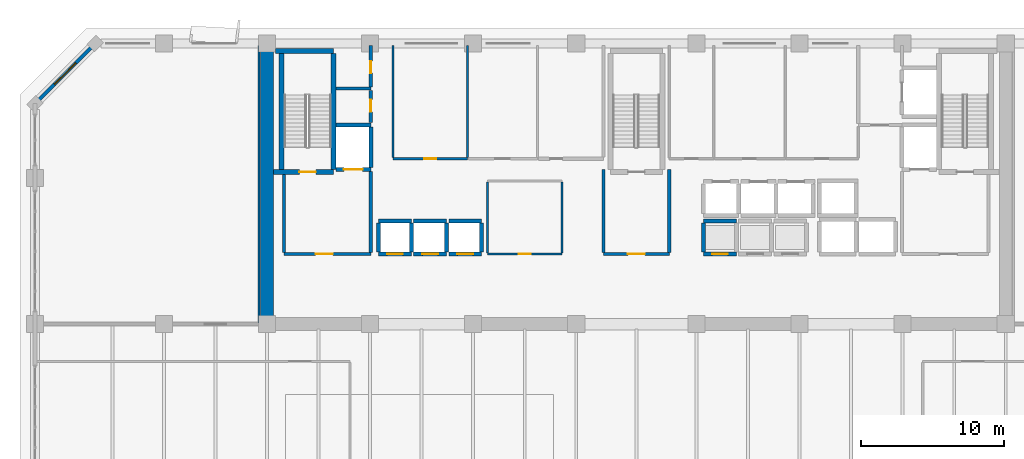
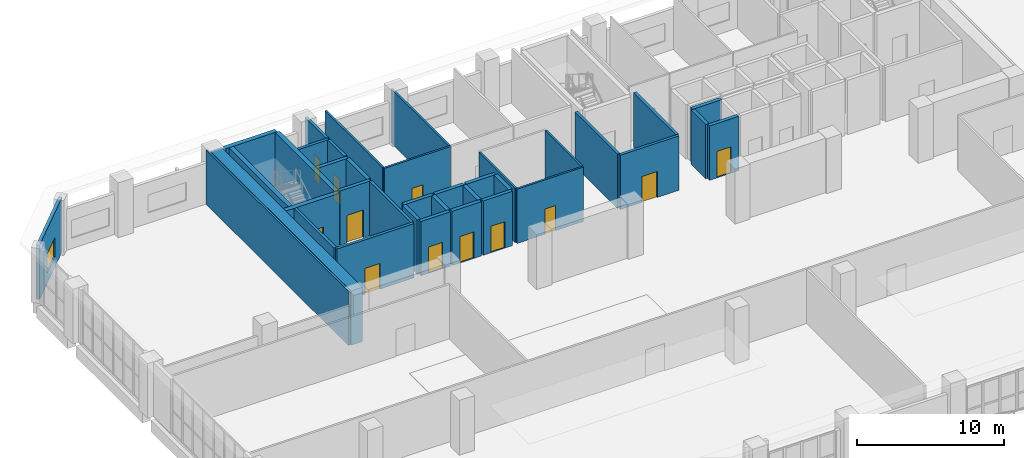
# One storey, part 29 of 37: 38 walls, 12 doors, 1 window, 13 openings.
"""IFC4 building model written with IfcOpenShell, lengths in metres."""

from ifc_helpers import new_model, si_unit, direction, frame, frame_2d, origin, place, context, subcontext, project, spatial, rectangle, extrude, material, layer, layer_set, type_object, element, fill, save


model = new_model("IFC4")

# Units and contexts
model_context = context("Model", 3, precision=1e-05, world=origin(), true_north=direction((0.0, 1.0)))
body_context = subcontext(model_context, "Body", "Model", "MODEL_VIEW")
ifc_project = project(units=[si_unit("LENGTHUNIT", "METRE"), si_unit("AREAUNIT", "SQUARE_METRE"), si_unit("VOLUMEUNIT", "CUBIC_METRE"), si_unit("PLANEANGLEUNIT", "RADIAN"), si_unit("MASSUNIT", "GRAM", prefix="KILO")], contexts=[model_context])

# Site, building, storey
site_placement = place(None, origin())
site = spatial("IfcSite", under=ifc_project, at=site_placement, CompositionType="ELEMENT")
building_placement = place(site_placement, origin())
building = spatial("IfcBuilding", under=site, at=building_placement, Name="Kaelvorn Grand Hotel", CompositionType="ELEMENT")
storey_placement = place(building_placement, frame((0.0, 0.0, 130.550048828125)))
storey = spatial("IfcBuildingStorey", under=building, at=storey_placement, Name="L31", CompositionType="ELEMENT", Elevation=130.550048828125)

# Wall
ifc_material_1 = material(Name="Concrete C60/75", Category="concrete")
ifc_layer_1 = layer(ifc_material_1, 0.89990234375)
ifc_layer_set_1 = layer_set([ifc_layer_1], Name="Concrete C60/75")
wall_type_1 = type_object("IfcWallType", Name="WL-CORE-900-C60", PredefinedType="SHEAR", material=ifc_layer_set_1)
wall_1_placement = place(storey_placement, frame((16.199951171875, 29.39990234375, 0.0), z_axis=(0.0, 0.0, 1.0), x_axis=(0.0, 1.0, 0.0)))
element("IfcWall", 1, at=wall_1_placement, inside=storey, type_object=wall_type_1, Name="L31 Rear-Core West Shear Wall", PredefinedType="SHEAR", context=body_context, shape_type="SweptSolid", body=[
    extrude(rectangle(XDim=19.2001953125, YDim=0.89990234375, at=frame_2d((9.60009765625, 0.0))), origin(), (0.0, 0.0, 1.0), 4.52001953125),
])

# Wall, opening, window
ifc_material_2 = material(Name="Concrete C40/50", Category="concrete")
ifc_layer_2 = layer(ifc_material_2, 0.260009765625)
ifc_layer_set_2 = layer_set([ifc_layer_2], Name="Concrete C40/50")
wall_type_2 = type_object("IfcWallType", Name="WL-EXT-260-C40", PredefinedType="SOLIDWALL", material=ifc_layer_set_2)
wall_2_placement = place(storey_placement, frame((4.199951171875, 49.0, 0.0), z_axis=(0.0, 0.0, 1.0), x_axis=(-0.707106781187, -0.707106781187, 0.0)))
wall_2 = element("IfcWall", 2, at=wall_2_placement, inside=storey, type_object=wall_type_2, Name="L31 Exterior Architectural Concrete Wall 06", PredefinedType="SOLIDWALL", context=body_context, shape_type="SweptSolid", body=[
    extrude(rectangle(XDim=5.939697265625, YDim=0.260009765625, at=frame_2d((2.9697265625, 0.0))), origin(), (0.0, 0.0, 1.0), 4.52001953125),
])
opening_1_placement = place(wall_2_placement, frame((1.919921875, 0.0, 0.85009765625)))
opening_1 = element("IfcOpeningElement", 3, at=opening_1_placement, cuts=wall_2, Name="Opening W7", PredefinedType="OPENING", context=body_context, shape_type="SweptSolid", body=[
    extrude(rectangle(XDim=2.10009765625, YDim=1.60009765625, at=frame_2d((1.050048828125, 0.800048828125))), frame((0.0, 0.14013671875, 0.0), z_axis=(0.0, -1.0, 0.0), x_axis=(1.0, 0.0, 0.0)), (0.0, 0.0, 1.0), 0.280029296875),
])
ifc_material_3 = material(Name="Laminated Low-E Glass", Category="glass")
window_type = type_object("IfcWindowType", Name="WIN-CHM-2100x1600", PartitioningType="SINGLE_PANEL", PredefinedType="WINDOW", material=ifc_material_3)
window_placement = place(opening_1_placement, origin())
window = element("IfcWindow", 4, at=window_placement, inside=storey, type_object=window_type, Name="L31 Chamfered 45-Degree Corner Window NW", OverallHeight=1.60009765625, OverallWidth=2.10009765625, PartitioningType="SINGLE_PANEL", PredefinedType="WINDOW", context=body_context, shape_type="SweptSolid", body=[
    extrude(rectangle(XDim=2.10009765625, YDim=1.60009765625, at=frame_2d((1.050048828125, 0.800048828125))), frame((0.0, 0.030029296875, 0.0), z_axis=(0.0, -1.0, 0.0), x_axis=(1.0, 0.0, 0.0)), (0.0, 0.0, 1.0), 0.06005859375),
])
fill(opening_1, window)

# Wall, opening, door
ifc_material_4 = material(Name="Acoustic Gypsum & Stud Partition")
ifc_layer_3 = layer(ifc_material_4, 0.14990234375)
ifc_layer_set_3 = layer_set([ifc_layer_3], Name="Acoustic Gypsum & Stud Partition")
wall_type_3 = type_object("IfcWallType", Name="WL-PART-150-EI60", PredefinedType="PARTITIONING", material=ifc_layer_set_3)
wall_3_placement = place(storey_placement, frame((31.60009765625, 34.300048828125, 0.0), z_axis=(0.0, 0.0, 1.0), x_axis=(1.0, 0.0, 0.0)))
wall_3 = element("IfcWall", 5, at=wall_3_placement, inside=storey, type_object=wall_type_3, Name="L31 Core Telecoms & BMS Server Room S Partition", PredefinedType="PARTITIONING", context=body_context, shape_type="SweptSolid", body=[
    extrude(rectangle(XDim=5.199951171875, YDim=0.14990234375, at=frame_2d((2.60009765625, 0.0))), origin(), (0.0, 0.0, 1.0), 4.52001953125),
])
opening_2_placement = place(wall_3_placement, frame((2.175048828125, 0.0, 0.0)))
opening_2 = element("IfcOpeningElement", 6, at=opening_2_placement, cuts=wall_3, Name="Opening DI7", PredefinedType="OPENING", context=body_context, shape_type="SweptSolid", body=[
    extrude(rectangle(XDim=0.85009765625, YDim=2.10009765625, at=frame_2d((0.425048828125, 1.050048828125))), frame((0.0, 0.0849609375, 0.0), z_axis=(0.0, -1.0, 0.0), x_axis=(1.0, 0.0, 0.0)), (0.0, 0.0, 1.0), 0.169921875),
])
ifc_material_5 = material(Name="Powder-Coated Steel Leaf", Category="steel")
door_type_1 = type_object("IfcDoorType", Name="DR-INT-RISER-850x2100", OperationType="NOTDEFINED", PredefinedType="DOOR", material=ifc_material_5)
door_1_placement = place(opening_2_placement, origin())
door_1 = element("IfcDoor", 7, at=door_1_placement, inside=storey, type_object=door_type_1, Name="L31 Core Telecoms & BMS Server Room Door", OperationType="SINGLE_SWING_RIGHT", OverallHeight=2.10009765625, OverallWidth=0.85009765625, PredefinedType="DOOR", context=body_context, shape_type="SweptSolid", body=[
    extrude(rectangle(XDim=0.85009765625, YDim=2.10009765625, at=frame_2d((0.425048828125, 1.050048828125))), frame((0.0, 0.02490234375, 0.0), z_axis=(0.0, -1.0, 0.0), x_axis=(1.0, 0.0, 0.0)), (0.0, 0.0, 1.0), 0.050048828125),
])
fill(opening_2, door_1)

# Walls
for number, where, z_axis, x_axis, name in (
    (8, (31.60009765625, 34.3798828125, 0.0), (0.0, 0.0, 1.0), (0.0, 1.0, 0.0), "L31 Core Telecoms & BMS Server Room W Partition"),
    (9, (36.800048828125, 34.3798828125, 0.0), (0.0, 0.0, 1.0), (0.0, 1.0, 0.0), "L31 Core Telecoms & BMS Server Room E Partition"),
):
    element("IfcWall", number, at=place(storey_placement, frame(where, z_axis=z_axis, x_axis=x_axis)), inside=storey, type_object=wall_type_3, Name=name, PredefinedType="PARTITIONING", context=body_context, shape_type="SweptSolid", body=[
        extrude(rectangle(XDim=4.940185546875, YDim=0.14990234375, at=frame_2d((2.47021484375, 0.0))), origin(), (0.0, 0.0, 1.0), 4.52001953125),
    ])

# Wall, opening, door
wall_4_placement = place(storey_placement, frame((25.0, 40.949951171875, 0.0), z_axis=(0.0, 0.0, 1.0), x_axis=(1.0, 0.0, 0.0)))
wall_4 = element("IfcWall", 10, at=wall_4_placement, inside=storey, type_object=wall_type_3, Name="L31 Central Janitor & Linen Store S Partition", PredefinedType="PARTITIONING", context=body_context, shape_type="SweptSolid", body=[
    extrude(rectangle(XDim=5.199951171875, YDim=0.14990234375, at=frame_2d((2.60009765625, 0.0))), origin(), (0.0, 0.0, 1.0), 4.52001953125),
])
opening_3_placement = place(wall_4_placement, frame((2.175048828125, 0.0, 0.0)))
opening_3 = element("IfcOpeningElement", 11, at=opening_3_placement, cuts=wall_4, Name="Opening DI7", PredefinedType="OPENING", context=body_context, shape_type="SweptSolid", body=[
    extrude(rectangle(XDim=0.85009765625, YDim=2.10009765625, at=frame_2d((0.425048828125, 1.050048828125))), frame((0.0, 0.0849609375, 0.0), z_axis=(0.0, -1.0, 0.0), x_axis=(1.0, 0.0, 0.0)), (0.0, 0.0, 1.0), 0.169921875),
])
door_2_placement = place(opening_3_placement, origin())
door_2 = element("IfcDoor", 12, at=door_2_placement, inside=storey, type_object=door_type_1, Name="L31 Central Janitor & Linen Store Door", OperationType="SINGLE_SWING_LEFT", OverallHeight=2.10009765625, OverallWidth=0.85009765625, PredefinedType="DOOR", context=body_context, shape_type="SweptSolid", body=[
    extrude(rectangle(XDim=0.85009765625, YDim=2.10009765625, at=frame_2d((0.425048828125, 1.050048828125))), frame((0.0, 0.02490234375, 0.0), z_axis=(0.0, -1.0, 0.0), x_axis=(1.0, 0.0, 0.0)), (0.0, 0.0, 1.0), 0.050048828125),
])
fill(opening_3, door_2)

# Walls
for number, where, z_axis, x_axis, name in (
    (13, (25.0, 41.030029296875, 0.0), (0.0, 0.0, 1.0), (0.0, 1.0, 0.0), "L31 Central Janitor & Linen Store W Partition"),
    (14, (30.199951171875, 41.030029296875, 0.0), (0.0, 0.0, 1.0), (0.0, 1.0, 0.0), "L31 Central Janitor & Linen Store E Partition"),
):
    element("IfcWall", number, at=place(storey_placement, frame(where, z_axis=z_axis, x_axis=x_axis)), inside=storey, type_object=wall_type_3, Name=name, PredefinedType="PARTITIONING", context=body_context, shape_type="SweptSolid", body=[
        extrude(rectangle(XDim=7.820068359375, YDim=0.14990234375, at=frame_2d((3.91015625, 0.0))), origin(), (0.0, 0.0, 1.0), 4.52001953125),
    ])
wall_5_placement = place(storey_placement, frame((15.64990234375, 29.47998046875, 0.0), z_axis=(0.0, 0.0, 1.0), x_axis=(0.0, 1.0, 0.0)))
element("IfcWall", 15, at=wall_5_placement, inside=storey, type_object=wall_type_3, Name="L31 Sky Sommelier Cellar & Tasting Room E Partition", PredefinedType="PARTITIONING", context=body_context, shape_type="SweptSolid", body=[
    extrude(rectangle(XDim=19.3701171875, YDim=0.14990234375, at=frame_2d((9.68505859375, 0.0))), origin(), (0.0, 0.0, 1.0), 4.52001953125),
])

# Wall, opening, door
ifc_layer_4 = layer(ifc_material_2, 0.219970703125)
ifc_layer_set_4 = layer_set([ifc_layer_4], Name="Concrete C40/50")
wall_type_4 = type_object("IfcWallType", Name="WL-PART-220-EI120", PredefinedType="PARTITIONING", material=ifc_layer_set_4)
wall_6_placement = place(storey_placement, frame((17.39990234375, 34.300048828125, 0.0), z_axis=(0.0, 0.0, 1.0), x_axis=(1.0, 0.0, 0.0)))
wall_6 = element("IfcWall", 16, at=wall_6_placement, inside=storey, type_object=wall_type_4, Name="L31 Firefighting Lift Lobby 1 S Partition", PredefinedType="PARTITIONING", context=body_context, shape_type="SweptSolid", body=[
    extrude(rectangle(XDim=6.050048828125, YDim=0.219970703125, at=frame_2d((3.02490234375, 0.0))), origin(), (0.0, 0.0, 1.0), 4.52001953125),
])
opening_4_placement = place(wall_6_placement, frame((2.199951171875, 0.0, 0.0)))
opening_4 = element("IfcOpeningElement", 17, at=opening_4_placement, cuts=wall_6, Name="Opening DI2", PredefinedType="OPENING", context=body_context, shape_type="SweptSolid", body=[
    extrude(rectangle(XDim=1.199951171875, YDim=2.14990234375, at=frame_2d((0.60009765625, 1.074951171875))), frame((0.0, 0.1201171875, 0.0), z_axis=(0.0, -1.0, 0.0), x_axis=(1.0, 0.0, 0.0)), (0.0, 0.0, 1.0), 0.239990234375),
])
ifc_material_6 = material(Name="Timber Veneer Fire Leaf", Category="wood")
door_type_2 = type_object("IfcDoorType", Name="DR-INT-FFLOB-1200x2150", OperationType="NOTDEFINED", PredefinedType="DOOR", material=ifc_material_6)
door_3_placement = place(opening_4_placement, origin())
door_3 = element("IfcDoor", 18, at=door_3_placement, inside=storey, type_object=door_type_2, Name="L31 Firefighting Lift Lobby 1 Door", OperationType="SINGLE_SWING_RIGHT", OverallHeight=2.14990234375, OverallWidth=1.199951171875, PredefinedType="DOOR", context=body_context, shape_type="SweptSolid", body=[
    extrude(rectangle(XDim=1.199951171875, YDim=2.14990234375, at=frame_2d((0.60009765625, 1.074951171875))), frame((0.0, 0.02490234375, 0.0), z_axis=(0.0, -1.0, 0.0), x_axis=(1.0, 0.0, 0.0)), (0.0, 0.0, 1.0), 0.050048828125),
])
fill(opening_4, door_3)

# Walls
wall_7_placement = place(storey_placement, frame((17.39990234375, 34.4150390625, 0.0), z_axis=(0.0, 0.0, 1.0), x_axis=(0.0, 1.0, 0.0)))
element("IfcWall", 19, at=wall_7_placement, inside=storey, type_object=wall_type_4, Name="L31 Firefighting Lift Lobby 1 W Partition", PredefinedType="PARTITIONING", context=body_context, shape_type="SweptSolid", body=[
    extrude(rectangle(XDim=5.429931640625, YDim=0.219970703125, at=frame_2d((2.71484375, 0.0))), origin(), (0.0, 0.0, 1.0), 4.52001953125),
])
wall_8_placement = place(storey_placement, frame((23.449951171875, 34.4150390625, 0.0), z_axis=(0.0, 0.0, 1.0), x_axis=(0.0, 1.0, 0.0)))
element("IfcWall", 20, at=wall_8_placement, inside=storey, type_object=wall_type_4, Name="L31 Firefighting Lift Lobby 1 E Partition", PredefinedType="PARTITIONING", context=body_context, shape_type="SweptSolid", body=[
    extrude(rectangle(XDim=5.639892578125, YDim=0.219970703125, at=frame_2d((2.81982421875, 0.0))), origin(), (0.0, 0.0, 1.0), 4.52001953125),
])

# Wall, opening, door
wall_9_placement = place(storey_placement, frame((39.699951171875, 34.300048828125, 0.0), z_axis=(0.0, 0.0, 1.0), x_axis=(1.0, 0.0, 0.0)))
wall_9 = element("IfcWall", 21, at=wall_9_placement, inside=storey, type_object=wall_type_4, Name="L31 Central Stair Escape Vestibule S Partition", PredefinedType="PARTITIONING", context=body_context, shape_type="SweptSolid", body=[
    extrude(rectangle(XDim=4.60009765625, YDim=0.219970703125, at=frame_2d((2.300048828125, 0.0))), origin(), (0.0, 0.0, 1.0), 4.52001953125),
])
opening_5_placement = place(wall_9_placement, frame((1.699951171875, 0.0, 0.0)))
opening_5 = element("IfcOpeningElement", 22, at=opening_5_placement, cuts=wall_9, Name="Opening DI2", PredefinedType="OPENING", context=body_context, shape_type="SweptSolid", body=[
    extrude(rectangle(XDim=1.199951171875, YDim=2.14990234375, at=frame_2d((0.60009765625, 1.074951171875))), frame((0.0, 0.1201171875, 0.0), z_axis=(0.0, -1.0, 0.0), x_axis=(1.0, 0.0, 0.0)), (0.0, 0.0, 1.0), 0.239990234375),
])
door_4_placement = place(opening_5_placement, origin())
door_4 = element("IfcDoor", 23, at=door_4_placement, inside=storey, type_object=door_type_2, Name="L31 Central Stair Escape Vestibule Door", OperationType="SINGLE_SWING_RIGHT", OverallHeight=2.14990234375, OverallWidth=1.199951171875, PredefinedType="DOOR", context=body_context, shape_type="SweptSolid", body=[
    extrude(rectangle(XDim=1.199951171875, YDim=2.14990234375, at=frame_2d((0.60009765625, 1.074951171875))), frame((0.0, 0.02490234375, 0.0), z_axis=(0.0, -1.0, 0.0), x_axis=(1.0, 0.0, 0.0)), (0.0, 0.0, 1.0), 0.050048828125),
])
fill(opening_5, door_4)

# Walls
for number, where, z_axis, x_axis, name in (
    (24, (39.699951171875, 34.4150390625, 0.0), (0.0, 0.0, 1.0), (0.0, 1.0, 0.0), "L31 Central Stair Escape Vestibule W Partition"),
    (25, (44.300048828125, 34.4150390625, 0.0), (0.0, 0.0, 1.0), (0.0, 1.0, 0.0), "L31 Central Stair Escape Vestibule E Partition"),
):
    element("IfcWall", number, at=place(storey_placement, frame(where, z_axis=z_axis, x_axis=x_axis)), inside=storey, type_object=wall_type_4, Name=name, PredefinedType="PARTITIONING", context=body_context, shape_type="SweptSolid", body=[
        extrude(rectangle(XDim=5.784912109375, YDim=0.219970703125, at=frame_2d((2.892578125, 0.0))), origin(), (0.0, 0.0, 1.0), 4.52001953125),
    ])
wall_10_placement = place(storey_placement, frame((21.034912109375, 45.85009765625, 0.0), z_axis=(0.0, 0.0, 1.0), x_axis=(1.0, 0.0, 0.0)))
element("IfcWall", 26, at=wall_10_placement, inside=storey, type_object=wall_type_4, Name="L31 Wet Fire & Plumbing Riser Shaft N Partition", PredefinedType="PARTITIONING", context=body_context, shape_type="SweptSolid", body=[
    extrude(rectangle(XDim=2.4150390625, YDim=0.219970703125, at=frame_2d((1.20751953125, 0.0))), origin(), (0.0, 0.0, 1.0), 4.52001953125),
])

# Wall, opening, door
wall_11_placement = place(storey_placement, frame((23.449951171875, 43.5, 0.0), z_axis=(0.0, 0.0, 1.0), x_axis=(0.0, 1.0, 0.0)))
wall_11 = element("IfcWall", 27, at=wall_11_placement, inside=storey, type_object=wall_type_4, Name="L31 Wet Fire & Plumbing Riser Shaft E Partition", PredefinedType="PARTITIONING", context=body_context, shape_type="SweptSolid", body=[
    extrude(rectangle(XDim=2.235107421875, YDim=0.219970703125, at=frame_2d((1.11767578125, 0.0))), origin(), (0.0, 0.0, 1.0), 4.52001953125),
])
opening_6_placement = place(wall_11_placement, frame((0.72509765625, 0.0, 0.0)))
opening_6 = element("IfcOpeningElement", 28, at=opening_6_placement, cuts=wall_11, Name="Opening DI7", PredefinedType="OPENING", context=body_context, shape_type="SweptSolid", body=[
    extrude(rectangle(XDim=0.85009765625, YDim=2.10009765625, at=frame_2d((0.425048828125, 1.050048828125))), frame((0.0, 0.1201171875, 0.0), z_axis=(0.0, -1.0, 0.0), x_axis=(1.0, 0.0, 0.0)), (0.0, 0.0, 1.0), 0.239990234375),
])
door_5_placement = place(opening_6_placement, origin())
door_5 = element("IfcDoor", 29, at=door_5_placement, inside=storey, type_object=door_type_1, Name="L31 Wet Fire & Plumbing Riser Shaft Door", OperationType="SINGLE_SWING_RIGHT", OverallHeight=2.10009765625, OverallWidth=0.85009765625, PredefinedType="DOOR", context=body_context, shape_type="SweptSolid", body=[
    extrude(rectangle(XDim=0.85009765625, YDim=2.10009765625, at=frame_2d((0.425048828125, 1.050048828125))), frame((0.0, 0.02490234375, 0.0), z_axis=(0.0, -1.0, 0.0), x_axis=(1.0, 0.0, 0.0)), (0.0, 0.0, 1.0), 0.050048828125),
])
fill(opening_6, door_5)

wall_12_placement = place(storey_placement, frame((23.449951171875, 45.965087890625, 0.0), z_axis=(0.0, 0.0, 1.0), x_axis=(0.0, 1.0, 0.0)))
wall_12 = element("IfcWall", 30, at=wall_12_placement, inside=storey, type_object=wall_type_4, Name="L31 HV Electrical & Smoke Riser E Partition", PredefinedType="PARTITIONING", context=body_context, shape_type="SweptSolid", body=[
    extrude(rectangle(XDim=2.885009765625, YDim=0.219970703125, at=frame_2d((1.4423828125, 0.0))), origin(), (0.0, 0.0, 1.0), 4.52001953125),
])
opening_7_placement = place(wall_12_placement, frame((0.9599609375, 0.0, 0.0)))
opening_7 = element("IfcOpeningElement", 31, at=opening_7_placement, cuts=wall_12, Name="Opening DI7", PredefinedType="OPENING", context=body_context, shape_type="SweptSolid", body=[
    extrude(rectangle(XDim=0.85009765625, YDim=2.10009765625, at=frame_2d((0.425048828125, 1.050048828125))), frame((0.0, 0.1201171875, 0.0), z_axis=(0.0, -1.0, 0.0), x_axis=(1.0, 0.0, 0.0)), (0.0, 0.0, 1.0), 0.239990234375),
])
door_6_placement = place(opening_7_placement, origin())
door_6 = element("IfcDoor", 32, at=door_6_placement, inside=storey, type_object=door_type_1, Name="L31 HV Electrical & Smoke Riser Door", OperationType="SINGLE_SWING_LEFT", OverallHeight=2.10009765625, OverallWidth=0.85009765625, PredefinedType="DOOR", context=body_context, shape_type="SweptSolid", body=[
    extrude(rectangle(XDim=0.85009765625, YDim=2.10009765625, at=frame_2d((0.425048828125, 1.050048828125))), frame((0.0, 0.02490234375, 0.0), z_axis=(0.0, -1.0, 0.0), x_axis=(1.0, 0.0, 0.0)), (0.0, 0.0, 1.0), 0.050048828125),
])
fill(opening_7, door_6)

ifc_material_7 = material(Name="Concrete C50/60", Category="concrete")
ifc_layer_5 = layer(ifc_material_7, 0.280029296875)
ifc_layer_set_5 = layer_set([ifc_layer_5], Name="Concrete C50/60")
wall_type_5 = type_object("IfcWallType", Name="WL-SHAFT-280-C50", PredefinedType="SHEAR", material=ifc_layer_set_5)
wall_13_placement = place(storey_placement, frame((24.0, 34.300048828125, 0.0), z_axis=(0.0, 0.0, 1.0), x_axis=(1.0, 0.0, 0.0)))
wall_13 = element("IfcWall", 33, at=wall_13_placement, inside=storey, type_object=wall_type_5, Name="L31 Lift PL-L1 Shaft South Wall", PredefinedType="SHEAR", context=body_context, shape_type="SweptSolid", body=[
    extrude(rectangle(XDim=2.300048828125, YDim=0.280029296875, at=frame_2d((1.14990234375, 0.0))), origin(), (0.0, 0.0, 1.0), 4.52001953125),
])
opening_8_placement = place(wall_13_placement, frame((0.60009765625, 0.0, 0.0)))
opening_8 = element("IfcOpeningElement", 34, at=opening_8_placement, cuts=wall_13, Name="Opening LD-PL-L1", PredefinedType="OPENING", context=body_context, shape_type="SweptSolid", body=[
    extrude(rectangle(XDim=1.10009765625, YDim=2.199951171875, at=frame_2d((0.550048828125, 1.10009765625))), frame((0.0, 0.14990234375, 0.0), z_axis=(0.0, -1.0, 0.0), x_axis=(1.0, 0.0, 0.0)), (0.0, 0.0, 1.0), 0.300048828125),
])
ifc_material_8 = material(Name="Stainless Steel", Category="steel")
door_type_3 = type_object("IfcDoorType", Name="DR-LIFT-PASS-1100x2200", OperationType="DOUBLE_DOOR_SLIDING", PredefinedType="DOOR", material=ifc_material_8)
door_7_placement = place(opening_8_placement, origin())
door_7 = element("IfcDoor", 35, at=door_7_placement, inside=storey, type_object=door_type_3, Name="L31 Lift PL-L1 Sliding Landing Door LD-PL-L1", OperationType="DOUBLE_DOOR_SLIDING", OverallHeight=2.199951171875, OverallWidth=1.10009765625, PredefinedType="DOOR", context=body_context, shape_type="SweptSolid", body=[
    extrude(rectangle(XDim=1.10009765625, YDim=2.199951171875, at=frame_2d((0.550048828125, 1.10009765625))), frame((0.0, 0.02490234375, 0.0), z_axis=(0.0, -1.0, 0.0), x_axis=(1.0, 0.0, 0.0)), (0.0, 0.0, 1.0), 0.050048828125),
])
fill(opening_8, door_7)

# Walls
wall_14_placement = place(storey_placement, frame((24.0, 36.60009765625, 0.0), z_axis=(0.0, 0.0, 1.0), x_axis=(1.0, 0.0, 0.0)))
element("IfcWall", 36, at=wall_14_placement, inside=storey, type_object=wall_type_5, Name="L31 Lift PL-L1 Shaft North Wall", PredefinedType="SHEAR", context=body_context, shape_type="SweptSolid", body=[
    extrude(rectangle(XDim=2.300048828125, YDim=0.280029296875, at=frame_2d((1.14990234375, 0.0))), origin(), (0.0, 0.0, 1.0), 4.52001953125),
])
for number, where, z_axis, x_axis, name in (
    (37, (24.0, 34.445068359375, 0.0), (0.0, 0.0, 1.0), (0.0, 1.0, 0.0), "L31 Lift PL-L1 Shaft West Wall"),
    (38, (26.300048828125, 34.445068359375, 0.0), (0.0, 0.0, 1.0), (0.0, 1.0, 0.0), "L31 Lift PL-L1 Shaft East Wall"),
):
    element("IfcWall", number, at=place(storey_placement, frame(where, z_axis=z_axis, x_axis=x_axis)), inside=storey, type_object=wall_type_5, Name=name, PredefinedType="SHEAR", context=body_context, shape_type="SweptSolid", body=[
        extrude(rectangle(XDim=2.010009765625, YDim=0.280029296875, at=frame_2d((1.0048828125, 0.0))), origin(), (0.0, 0.0, 1.0), 4.52001953125),
    ])

# Wall, opening, door
wall_15_placement = place(storey_placement, frame((26.449951171875, 34.300048828125, 0.0), z_axis=(0.0, 0.0, 1.0), x_axis=(1.0, 0.0, 0.0)))
wall_15 = element("IfcWall", 39, at=wall_15_placement, inside=storey, type_object=wall_type_5, Name="L31 Lift PL-L2 Shaft South Wall", PredefinedType="SHEAR", context=body_context, shape_type="SweptSolid", body=[
    extrude(rectangle(XDim=2.300048828125, YDim=0.280029296875, at=frame_2d((1.14990234375, 0.0))), origin(), (0.0, 0.0, 1.0), 4.52001953125),
])
opening_9_placement = place(wall_15_placement, frame((0.60009765625, 0.0, 0.0)))
opening_9 = element("IfcOpeningElement", 40, at=opening_9_placement, cuts=wall_15, Name="Opening LD-PL-L2", PredefinedType="OPENING", context=body_context, shape_type="SweptSolid", body=[
    extrude(rectangle(XDim=1.10009765625, YDim=2.199951171875, at=frame_2d((0.550048828125, 1.10009765625))), frame((0.0, 0.14990234375, 0.0), z_axis=(0.0, -1.0, 0.0), x_axis=(1.0, 0.0, 0.0)), (0.0, 0.0, 1.0), 0.300048828125),
])
door_8_placement = place(opening_9_placement, origin())
door_8 = element("IfcDoor", 41, at=door_8_placement, inside=storey, type_object=door_type_3, Name="L31 Lift PL-L2 Sliding Landing Door LD-PL-L2", OperationType="DOUBLE_DOOR_SLIDING", OverallHeight=2.199951171875, OverallWidth=1.10009765625, PredefinedType="DOOR", context=body_context, shape_type="SweptSolid", body=[
    extrude(rectangle(XDim=1.10009765625, YDim=2.199951171875, at=frame_2d((0.550048828125, 1.10009765625))), frame((0.0, 0.02490234375, 0.0), z_axis=(0.0, -1.0, 0.0), x_axis=(1.0, 0.0, 0.0)), (0.0, 0.0, 1.0), 0.050048828125),
])
fill(opening_9, door_8)

# Walls
wall_16_placement = place(storey_placement, frame((26.449951171875, 36.60009765625, 0.0), z_axis=(0.0, 0.0, 1.0), x_axis=(1.0, 0.0, 0.0)))
element("IfcWall", 42, at=wall_16_placement, inside=storey, type_object=wall_type_5, Name="L31 Lift PL-L2 Shaft North Wall", PredefinedType="SHEAR", context=body_context, shape_type="SweptSolid", body=[
    extrude(rectangle(XDim=2.300048828125, YDim=0.280029296875, at=frame_2d((1.14990234375, 0.0))), origin(), (0.0, 0.0, 1.0), 4.52001953125),
])
wall_17_placement = place(storey_placement, frame((28.75, 34.445068359375, 0.0), z_axis=(0.0, 0.0, 1.0), x_axis=(0.0, 1.0, 0.0)))
element("IfcWall", 43, at=wall_17_placement, inside=storey, type_object=wall_type_5, Name="L31 Lift PL-L2 Shaft East Wall", PredefinedType="SHEAR", context=body_context, shape_type="SweptSolid", body=[
    extrude(rectangle(XDim=2.010009765625, YDim=0.280029296875, at=frame_2d((1.0048828125, 0.0))), origin(), (0.0, 0.0, 1.0), 4.52001953125),
])

# Wall, opening, door
wall_18_placement = place(storey_placement, frame((28.89990234375, 34.300048828125, 0.0), z_axis=(0.0, 0.0, 1.0), x_axis=(1.0, 0.0, 0.0)))
wall_18 = element("IfcWall", 44, at=wall_18_placement, inside=storey, type_object=wall_type_5, Name="L31 Lift PL-L3 Shaft South Wall", PredefinedType="SHEAR", context=body_context, shape_type="SweptSolid", body=[
    extrude(rectangle(XDim=2.300048828125, YDim=0.280029296875, at=frame_2d((1.14990234375, 0.0))), origin(), (0.0, 0.0, 1.0), 4.52001953125),
])
opening_10_placement = place(wall_18_placement, frame((0.60009765625, 0.0, 0.0)))
opening_10 = element("IfcOpeningElement", 45, at=opening_10_placement, cuts=wall_18, Name="Opening LD-PL-L3", PredefinedType="OPENING", context=body_context, shape_type="SweptSolid", body=[
    extrude(rectangle(XDim=1.10009765625, YDim=2.199951171875, at=frame_2d((0.550048828125, 1.10009765625))), frame((0.0, 0.14990234375, 0.0), z_axis=(0.0, -1.0, 0.0), x_axis=(1.0, 0.0, 0.0)), (0.0, 0.0, 1.0), 0.300048828125),
])
door_9_placement = place(opening_10_placement, origin())
door_9 = element("IfcDoor", 46, at=door_9_placement, inside=storey, type_object=door_type_3, Name="L31 Lift PL-L3 Sliding Landing Door LD-PL-L3", OperationType="DOUBLE_DOOR_SLIDING", OverallHeight=2.199951171875, OverallWidth=1.10009765625, PredefinedType="DOOR", context=body_context, shape_type="SweptSolid", body=[
    extrude(rectangle(XDim=1.10009765625, YDim=2.199951171875, at=frame_2d((0.550048828125, 1.10009765625))), frame((0.0, 0.02490234375, 0.0), z_axis=(0.0, -1.0, 0.0), x_axis=(1.0, 0.0, 0.0)), (0.0, 0.0, 1.0), 0.050048828125),
])
fill(opening_10, door_9)

# Walls
wall_19_placement = place(storey_placement, frame((28.89990234375, 36.60009765625, 0.0), z_axis=(0.0, 0.0, 1.0), x_axis=(1.0, 0.0, 0.0)))
element("IfcWall", 47, at=wall_19_placement, inside=storey, type_object=wall_type_5, Name="L31 Lift PL-L3 Shaft North Wall", PredefinedType="SHEAR", context=body_context, shape_type="SweptSolid", body=[
    extrude(rectangle(XDim=2.300048828125, YDim=0.280029296875, at=frame_2d((1.14990234375, 0.0))), origin(), (0.0, 0.0, 1.0), 4.52001953125),
])
wall_20_placement = place(storey_placement, frame((31.199951171875, 34.445068359375, 0.0), z_axis=(0.0, 0.0, 1.0), x_axis=(0.0, 1.0, 0.0)))
element("IfcWall", 48, at=wall_20_placement, inside=storey, type_object=wall_type_5, Name="L31 Lift PL-L3 Shaft East Wall", PredefinedType="SHEAR", context=body_context, shape_type="SweptSolid", body=[
    extrude(rectangle(XDim=2.010009765625, YDim=0.280029296875, at=frame_2d((1.0048828125, 0.0))), origin(), (0.0, 0.0, 1.0), 4.52001953125),
])

# Wall, opening, door
wall_21_placement = place(storey_placement, frame((46.699951171875, 34.300048828125, 0.0), z_axis=(0.0, 0.0, 1.0), x_axis=(1.0, 0.0, 0.0)))
wall_21 = element("IfcWall", 49, at=wall_21_placement, inside=storey, type_object=wall_type_5, Name="L31 Lift PL-M1 Shaft South Wall", PredefinedType="SHEAR", context=body_context, shape_type="SweptSolid", body=[
    extrude(rectangle(XDim=2.300048828125, YDim=0.280029296875, at=frame_2d((1.14990234375, 0.0))), origin(), (0.0, 0.0, 1.0), 4.52001953125),
])
opening_11_placement = place(wall_21_placement, frame((0.60009765625, 0.0, 0.0)))
opening_11 = element("IfcOpeningElement", 50, at=opening_11_placement, cuts=wall_21, Name="Opening LD-PL-M1", PredefinedType="OPENING", context=body_context, shape_type="SweptSolid", body=[
    extrude(rectangle(XDim=1.10009765625, YDim=2.199951171875, at=frame_2d((0.550048828125, 1.10009765625))), frame((0.0, 0.14990234375, 0.0), z_axis=(0.0, -1.0, 0.0), x_axis=(1.0, 0.0, 0.0)), (0.0, 0.0, 1.0), 0.300048828125),
])
door_10_placement = place(opening_11_placement, origin())
door_10 = element("IfcDoor", 51, at=door_10_placement, inside=storey, type_object=door_type_3, Name="L31 Lift PL-M1 Sliding Landing Door LD-PL-M1", OperationType="DOUBLE_DOOR_SLIDING", OverallHeight=2.199951171875, OverallWidth=1.10009765625, PredefinedType="DOOR", context=body_context, shape_type="SweptSolid", body=[
    extrude(rectangle(XDim=1.10009765625, YDim=2.199951171875, at=frame_2d((0.550048828125, 1.10009765625))), frame((0.0, 0.02490234375, 0.0), z_axis=(0.0, -1.0, 0.0), x_axis=(1.0, 0.0, 0.0)), (0.0, 0.0, 1.0), 0.050048828125),
])
fill(opening_11, door_10)

# Walls
wall_22_placement = place(storey_placement, frame((46.699951171875, 36.60009765625, 0.0), z_axis=(0.0, 0.0, 1.0), x_axis=(1.0, 0.0, 0.0)))
element("IfcWall", 52, at=wall_22_placement, inside=storey, type_object=wall_type_5, Name="L31 Lift PL-M1 Shaft North Wall", PredefinedType="SHEAR", context=body_context, shape_type="SweptSolid", body=[
    extrude(rectangle(XDim=2.300048828125, YDim=0.280029296875, at=frame_2d((1.14990234375, 0.0))), origin(), (0.0, 0.0, 1.0), 4.52001953125),
])
wall_23_placement = place(storey_placement, frame((46.699951171875, 34.445068359375, 0.0), z_axis=(0.0, 0.0, 1.0), x_axis=(0.0, 1.0, 0.0)))
element("IfcWall", 53, at=wall_23_placement, inside=storey, type_object=wall_type_5, Name="L31 Lift PL-M1 Shaft West Wall", PredefinedType="SHEAR", context=body_context, shape_type="SweptSolid", body=[
    extrude(rectangle(XDim=2.010009765625, YDim=0.280029296875, at=frame_2d((1.0048828125, 0.0))), origin(), (0.0, 0.0, 1.0), 4.52001953125),
])

# Wall, opening, door
wall_24_placement = place(storey_placement, frame((21.034912109375, 40.199951171875, 0.0), z_axis=(0.0, 0.0, 1.0), x_axis=(1.0, 0.0, 0.0)))
wall_24 = element("IfcWall", 54, at=wall_24_placement, inside=storey, type_object=wall_type_5, Name="L31 Lift FFL1 Shaft South Wall", PredefinedType="SHEAR", context=body_context, shape_type="SweptSolid", body=[
    extrude(rectangle(XDim=2.4150390625, YDim=0.280029296875, at=frame_2d((1.20751953125, 0.0))), origin(), (0.0, 0.0, 1.0), 4.52001953125),
])
opening_12_placement = place(wall_24_placement, frame((0.5400390625, 0.0, 0.0)))
opening_12 = element("IfcOpeningElement", 55, at=opening_12_placement, cuts=wall_24, Name="Opening LD-FFL1", PredefinedType="OPENING", context=body_context, shape_type="SweptSolid", body=[
    extrude(rectangle(XDim=1.300048828125, YDim=2.300048828125, at=frame_2d((0.64990234375, 1.14990234375))), frame((0.0, 0.14990234375, 0.0), z_axis=(0.0, -1.0, 0.0), x_axis=(1.0, 0.0, 0.0)), (0.0, 0.0, 1.0), 0.300048828125),
])
door_type_4 = type_object("IfcDoorType", Name="DR-LIFT-SERV-1300x2300", OperationType="DOUBLE_DOOR_SLIDING", PredefinedType="DOOR", material=ifc_material_8)
door_11_placement = place(opening_12_placement, origin())
door_11 = element("IfcDoor", 56, at=door_11_placement, inside=storey, type_object=door_type_4, Name="L31 Lift FFL1 Sliding Landing Door LD-FFL1", OperationType="DOUBLE_DOOR_SLIDING", OverallHeight=2.300048828125, OverallWidth=1.300048828125, PredefinedType="DOOR", context=body_context, shape_type="SweptSolid", body=[
    extrude(rectangle(XDim=1.300048828125, YDim=2.300048828125, at=frame_2d((0.64990234375, 1.14990234375))), frame((0.0, 0.02490234375, 0.0), z_axis=(0.0, -1.0, 0.0), x_axis=(1.0, 0.0, 0.0)), (0.0, 0.0, 1.0), 0.050048828125),
])
fill(opening_12, door_11)

# Walls
wall_25_placement = place(storey_placement, frame((21.034912109375, 43.300048828125, 0.0), z_axis=(0.0, 0.0, 1.0), x_axis=(1.0, 0.0, 0.0)))
element("IfcWall", 57, at=wall_25_placement, inside=storey, type_object=wall_type_5, Name="L31 Lift FFL1 Shaft North Wall", PredefinedType="SHEAR", context=body_context, shape_type="SweptSolid", body=[
    extrude(rectangle(XDim=2.4150390625, YDim=0.280029296875, at=frame_2d((1.20751953125, 0.0))), origin(), (0.0, 0.0, 1.0), 4.52001953125),
])
wall_26_placement = place(storey_placement, frame((23.449951171875, 40.344970703125, 0.0), z_axis=(0.0, 0.0, 1.0), x_axis=(0.0, 1.0, 0.0)))
element("IfcWall", 58, at=wall_26_placement, inside=storey, type_object=wall_type_5, Name="L31 Lift FFL1 Shaft East Wall", PredefinedType="SHEAR", context=body_context, shape_type="SweptSolid", body=[
    extrude(rectangle(XDim=2.81005859375, YDim=0.280029296875, at=frame_2d((1.405029296875, 0.0))), origin(), (0.0, 0.0, 1.0), 4.52001953125),
])

# Wall, opening, door
ifc_layer_6 = layer(ifc_material_1, 0.35009765625)
ifc_layer_set_6 = layer_set([ifc_layer_6], Name="Concrete C60/75")
wall_type_6 = type_object("IfcWallType", Name="WL-SHAFT-350-C60", PredefinedType="SHEAR", material=ifc_layer_set_6)
wall_27_placement = place(storey_placement, frame((16.655029296875, 40.02490234375, 0.0), z_axis=(0.0, 0.0, 1.0), x_axis=(1.0, 0.0, 0.0)))
wall_27 = element("IfcWall", 59, at=wall_27_placement, inside=storey, type_object=wall_type_6, Name="L31 ST1 Stair Shaft South Wall", PredefinedType="SHEAR", context=body_context, shape_type="SweptSolid", body=[
    extrude(rectangle(XDim=4.199951171875, YDim=0.35009765625, at=frame_2d((2.10009765625, 0.0))), origin(), (0.0, 0.0, 1.0), 4.52001953125),
])
opening_13_placement = place(wall_27_placement, frame((1.81005859375, 0.0, 0.0)))
opening_13 = element("IfcOpeningElement", 60, at=opening_13_placement, cuts=wall_27, Name="Opening DI1", PredefinedType="OPENING", context=body_context, shape_type="SweptSolid", body=[
    extrude(rectangle(XDim=1.14990234375, YDim=2.14990234375, at=frame_2d((0.574951171875, 1.074951171875))), frame((0.0, 0.18505859375, 0.0), z_axis=(0.0, -1.0, 0.0), x_axis=(1.0, 0.0, 0.0)), (0.0, 0.0, 1.0), 0.3701171875),
])
door_type_5 = type_object("IfcDoorType", Name="DR-INT-STAIR-1150x2150", OperationType="NOTDEFINED", PredefinedType="DOOR", material=ifc_material_6)
door_12_placement = place(opening_13_placement, origin())
door_12 = element("IfcDoor", 61, at=door_12_placement, inside=storey, type_object=door_type_5, Name="L31 ST1 Exit Stair Fire Door", OperationType="SINGLE_SWING_LEFT", OverallHeight=2.14990234375, OverallWidth=1.14990234375, PredefinedType="DOOR", context=body_context, shape_type="SweptSolid", body=[
    extrude(rectangle(XDim=1.14990234375, YDim=2.14990234375, at=frame_2d((0.574951171875, 1.074951171875))), frame((0.0, 0.02490234375, 0.0), z_axis=(0.0, -1.0, 0.0), x_axis=(1.0, 0.0, 0.0)), (0.0, 0.0, 1.0), 0.050048828125),
])
fill(opening_13, door_12)

# Walls
wall_28_placement = place(storey_placement, frame((16.804931640625, 48.47509765625, 0.0), z_axis=(0.0, 0.0, 1.0), x_axis=(1.0, 0.0, 0.0)))
element("IfcWall", 62, at=wall_28_placement, inside=storey, type_object=wall_type_6, Name="L31 ST1 Stair Shaft North Wall", PredefinedType="SHEAR", context=body_context, shape_type="SweptSolid", body=[
    extrude(rectangle(XDim=4.050048828125, YDim=0.35009765625, at=frame_2d((2.02490234375, 0.0))), origin(), (0.0, 0.0, 1.0), 4.52001953125),
])
for number, where, z_axis, x_axis, name in (
    (63, (17.22509765625, 40.205078125, 0.0), (0.0, 0.0, 1.0), (0.0, 1.0, 0.0), "L31 ST1 Stair Shaft West Wall"),
    (64, (20.85498046875, 40.205078125, 0.0), (0.0, 0.0, 1.0), (0.0, 1.0, 0.0), "L31 ST1 Stair Shaft East Wall"),
):
    element("IfcWall", number, at=place(storey_placement, frame(where, z_axis=z_axis, x_axis=x_axis)), inside=storey, type_object=wall_type_6, Name=name, PredefinedType="SHEAR", context=body_context, shape_type="SweptSolid", body=[
        extrude(rectangle(XDim=8.08984375, YDim=0.35009765625, at=frame_2d((4.044921875, 0.0))), origin(), (0.0, 0.0, 1.0), 4.52001953125),
    ])

save(model, "model.ifc")
